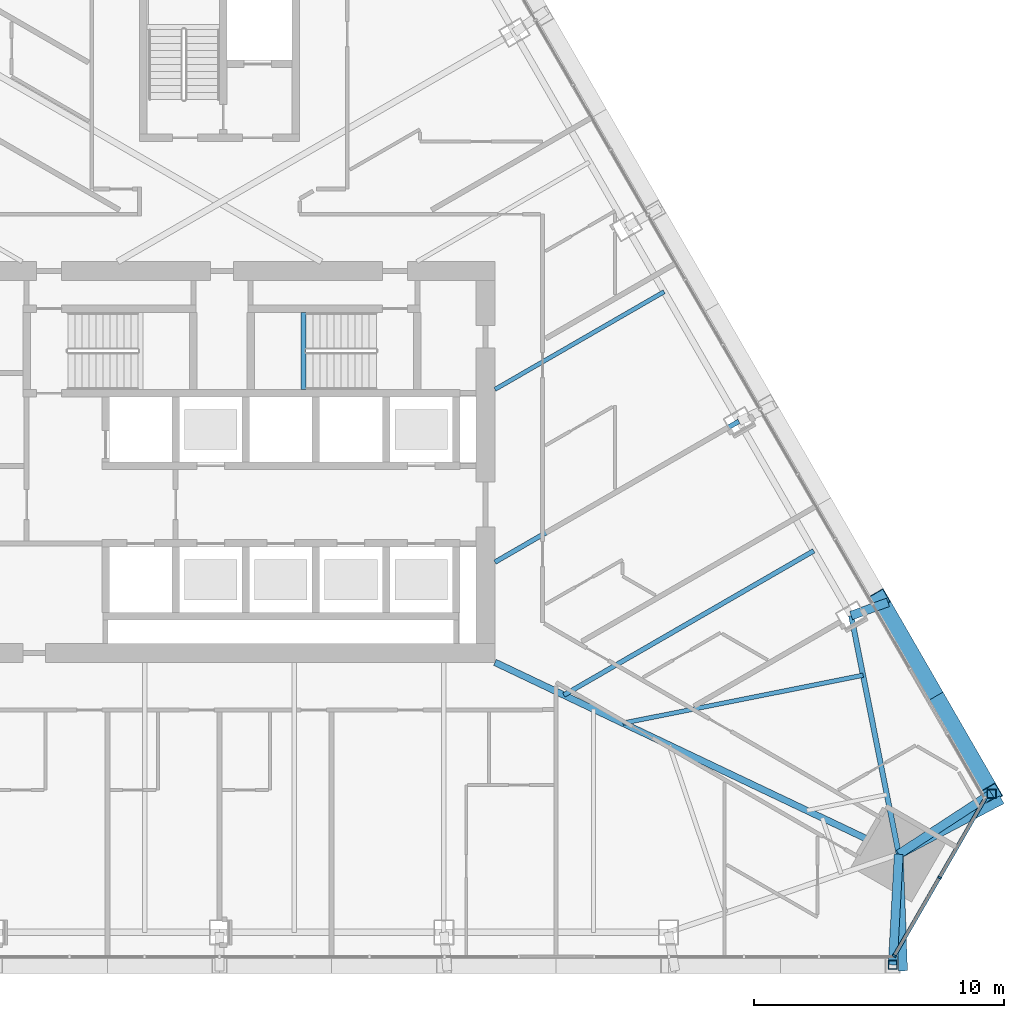
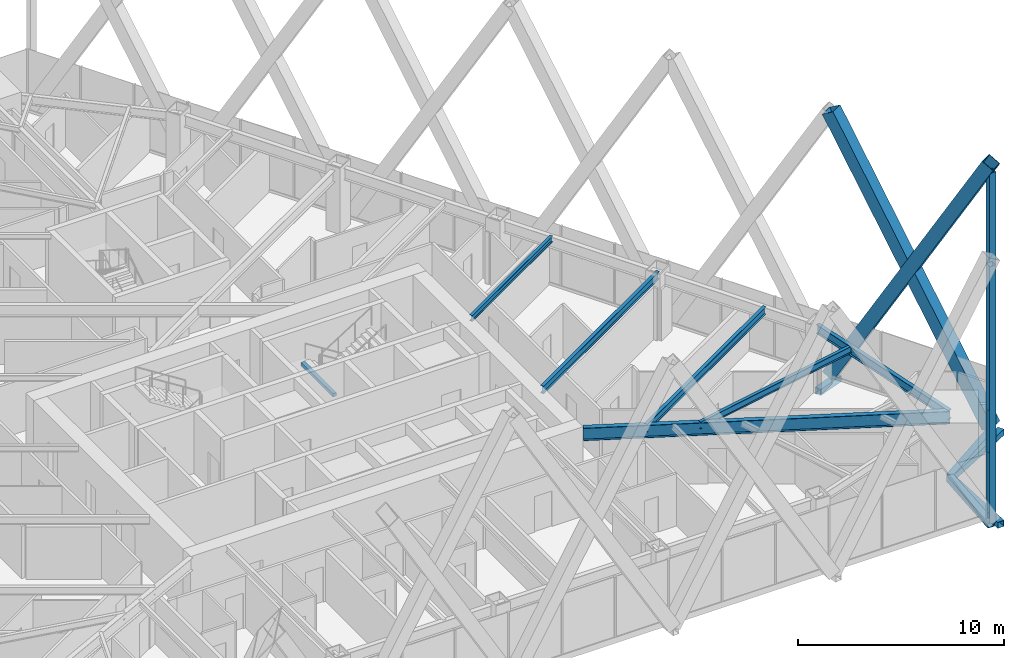
# One storey, part 11 of 24: 12 members, 7 beams, 1 element without a shape of its own.
"""IFC4 building model written with IfcOpenShell, lengths in metres."""

from ifc_helpers import new_model, si_unit, direction, frame, origin, origin_2d, place, context, subcontext, project, spatial, rectangle, hollow_rectangle, i_section, extrude, material, layer, layer_set, material_profile, profile_set, type_object, element, aggregate, save


model = new_model("IFC4")

# Units and contexts
model_context = context("Model", 3, precision=1e-05, world=origin(), true_north=direction((0.0, 1.0)))
body_context = subcontext(model_context, "Body", "Model", "MODEL_VIEW")
ifc_project = project(units=[si_unit("LENGTHUNIT", "METRE"), si_unit("AREAUNIT", "SQUARE_METRE"), si_unit("VOLUMEUNIT", "CUBIC_METRE"), si_unit("PLANEANGLEUNIT", "RADIAN"), si_unit("MASSUNIT", "GRAM", prefix="KILO")], contexts=[model_context])

# Site, building, storey
site_placement = place(None, origin())
site = spatial("IfcSite", under=ifc_project, at=site_placement, CompositionType="ELEMENT")
building_placement = place(site_placement, origin())
building = spatial("IfcBuilding", under=site, at=building_placement, Name="Firuza Gate Tower and Library", CompositionType="ELEMENT")
storey_placement = place(building_placement, frame((0.0, 0.0, 171.39990234375)))
storey = spatial("IfcBuildingStorey", under=building, at=storey_placement, Name="L39", CompositionType="ELEMENT", Elevation=171.39990234375)

# Members
ifc_material_1 = material(Name="Steel S355", Category="steel")
ifc_material_profile_1 = material_profile(ifc_material_1, hollow_rectangle(XDim=0.699951171875, YDim=0.699951171875, WallThickness=0.030029296875, at=origin_2d()))
ifc_profile_set_1 = profile_set([ifc_material_profile_1], Name="Steel S355")
member_type_1 = type_object("IfcMemberType", Name="BU700x700x30 Lattice brace", PredefinedType="BRACE", material=ifc_profile_set_1)
for number, where, z_axis, x_axis, name in (
    (1, (105.832275390625, 61.755859375, 0.0), (-0.249065574789, 0.43139340866, 0.867102108416), (-0.866024991597, -0.500000713928, 0.0), "Lattice brace E 9.1R"),
    (2, (101.351318359375, 69.51708984375, 0.0), (0.249065574789, -0.43139340866, 0.867102108416), (0.866024991597, 0.500000713928, 0.0), "Lattice brace E 9.1L"),
):
    element("IfcMember", number, at=place(storey_placement, frame(where, z_axis=z_axis, x_axis=x_axis)), inside=storey, type_object=member_type_1, Name=name, PredefinedType="BRACE", context=body_context, shape_type="SweptSolid", body=[
        extrude(hollow_rectangle(XDim=0.699951171875, YDim=0.699951171875, WallThickness=0.030029296875, at=origin_2d()), origin(), (0.0, 0.0, 1.0), 17.990966796875),
    ])

# Curtain wall, members
ifc_material_2 = material(Name="Aluminium 6063-T6", Category="aluminium")
ifc_layer = layer(ifc_material_2, 0.14990234375)
ifc_layer_set = layer_set([ifc_layer], Name="Corner curtain wall, chamfers")
curtain_wall_type = type_object("IfcCurtainWallType", Name="Corner curtain wall, chamfers", PredefinedType="NOTDEFINED", material=ifc_layer_set)
curtain_wall_placement = place(storey_placement, origin())
curtain_wall = element("IfcCurtainWall", 3, at=curtain_wall_placement, inside=storey, type_object=curtain_wall_type, Name="CW4 L39 SE corner", PredefinedType="NOTDEFINED")
ifc_material_3 = material(Name="Aluminium 6063-T6", Category="aluminium")
ifc_material_profile_2 = material_profile(ifc_material_3, rectangle(XDim=0.14990234375, YDim=0.080078125, at=origin_2d()))
ifc_profile_set_2 = profile_set([ifc_material_profile_2], Name="Aluminium 6063-T6")
member_type_2 = type_object("IfcMemberType", Name="Curtain wall mullion 80x150", PredefinedType="MULLION", material=ifc_profile_set_2)
member_1_placement = place(storey_placement, frame((101.948974609375, 55.2802734375, 0.150146484375), z_axis=(0.0, 0.0, 1.0), x_axis=(-0.866025403784, 0.5, 0.0)))
member_1 = element("IfcMember", 4, at=member_1_placement, type_object=member_type_2, Name="Mullion", PredefinedType="MULLION", context=body_context, shape_type="SweptSolid", body=[
    extrude(rectangle(XDim=0.14990234375, YDim=0.080078125, at=origin_2d()), origin(), (0.0, 0.0, 1.0), 3.550048828125),
])
member_2_placement = place(storey_placement, frame((103.750732421875, 58.400634765625, 0.150146484375), z_axis=(0.0, 0.0, 1.0), x_axis=(-0.866025403784, 0.5, 0.0)))
member_2 = element("IfcMember", 5, at=member_2_placement, type_object=member_type_2, Name="Mullion", PredefinedType="MULLION", context=body_context, shape_type="SweptSolid", body=[
    extrude(rectangle(XDim=0.14990234375, YDim=0.080078125, at=origin_2d()), origin(), (0.0, 0.0, 1.0), 3.550048828125),
])
ifc_material_4 = material(Name="Aluminium 6063-T6", Category="aluminium")
ifc_material_profile_3 = material_profile(ifc_material_4, rectangle(XDim=0.14990234375, YDim=0.35009765625, at=origin_2d()))
ifc_profile_set_3 = profile_set([ifc_material_profile_3], Name="Aluminium 6063-T6")
member_type_3 = type_object("IfcMemberType", Name="Curtain wall transom 350x150", PredefinedType="USERDEFINED", material=ifc_profile_set_3)
member_3_placement = place(storey_placement, frame((101.92919921875, 55.24560546875, -0.02490234375), z_axis=(0.499980589496, 0.866036610154, 0.0), x_axis=(-0.866036610154, 0.499980589496, 0.0)))
member_3 = element("IfcMember", 6, at=member_3_placement, type_object=member_type_3, Name="Transom", ObjectType="TRANSOM", PredefinedType="USERDEFINED", context=body_context, shape_type="SweptSolid", body=[
    extrude(rectangle(XDim=0.14990234375, YDim=0.35009765625, at=origin_2d()), origin(), (0.0, 0.0, 1.0), 7.286376953125),
])
aggregate(curtain_wall, [member_1, member_2, member_3])

# Members
ifc_material_5 = material(Name="Steel S355", Category="steel")
ifc_material_profile_4 = material_profile(ifc_material_5, hollow_rectangle(XDim=0.355712890625, YDim=0.355712890625, WallThickness=0.014892578125, at=origin_2d()))
ifc_profile_set_4 = profile_set([ifc_material_profile_4], Name="Steel S355")
member_type_4 = type_object("IfcMemberType", Name="HSS356x356x16 Lattice corner stile", PredefinedType="BRACE", material=ifc_profile_set_4)
for number, where, z_axis, x_axis, name in (
    (7, (101.8857421875, 54.920654296875, -0.139892578125), (0.0, 0.0, 1.0), (1.0, 0.0, 0.0), "Lattice corner stile S 9.B"),
    (8, (105.832275390625, 61.755859375, -0.139892578125), (0.0, 0.0, 1.0), (1.0, 0.0, 0.0), "Lattice corner stile E 9.A"),
):
    element("IfcMember", number, at=place(storey_placement, frame(where, z_axis=z_axis, x_axis=x_axis)), inside=storey, type_object=member_type_4, Name=name, PredefinedType="BRACE", context=body_context, shape_type="SweptSolid", body=[
        extrude(hollow_rectangle(XDim=0.355712890625, YDim=0.355712890625, WallThickness=0.014892578125, at=origin_2d()), origin(), (0.0, 0.0, 1.0), 15.239990234375),
    ])
ifc_material_6 = material(Name="Steel S355", Category="steel")
ifc_material_profile_5 = material_profile(ifc_material_6, hollow_rectangle(XDim=0.355712890625, YDim=0.355712890625, WallThickness=0.014892578125, at=origin_2d()))
ifc_profile_set_5 = profile_set([ifc_material_profile_5], Name="Steel S355")
member_type_5 = type_object("IfcMemberType", Name="HSS356x356x16 Lattice node tie", PredefinedType="BRACE", material=ifc_profile_set_5)
member_4_placement = place(storey_placement, frame((100.225341796875, 68.8671875, -0.31982421875), z_axis=(0.940688215805, 0.339272280987, 0.0), x_axis=(-0.339272280987, 0.940688215805, 0.0)))
element("IfcMember", 9, at=member_4_placement, inside=storey, type_object=member_type_5, Name="Lattice node tie E L39 181", PredefinedType="BRACE", context=body_context, shape_type="SweptSolid", body=[
    extrude(hollow_rectangle(XDim=0.355712890625, YDim=0.355712890625, WallThickness=0.014892578125, at=origin_2d()), origin(), (0.0, 0.0, 1.0), 1.563720703125),
])
member_5_placement = place(storey_placement, frame((102.126953125, 59.338134765625, -0.31982421875), z_axis=(0.883977722192, 0.467529022275, 0.0), x_axis=(-0.467529022275, 0.883977722192, 0.0)))
element("IfcMember", 10, at=member_5_placement, inside=storey, type_object=member_type_5, Name="Lattice node tie E L39 182", PredefinedType="BRACE", context=body_context, shape_type="SweptSolid", body=[
    extrude(hollow_rectangle(XDim=0.355712890625, YDim=0.355712890625, WallThickness=0.014892578125, at=origin_2d()), origin(), (0.0, 0.0, 1.0), 4.66015625),
])
member_6_placement = place(storey_placement, frame((102.126953125, 59.338134765625, -0.31982421875), z_axis=(0.837485429113, 0.546459656355, 0.0), x_axis=(-0.546459656355, 0.837485429113, 0.0)))
element("IfcMember", 11, at=member_6_placement, inside=storey, type_object=member_type_5, Name="Lattice node tie E L39 183", PredefinedType="BRACE", context=body_context, shape_type="SweptSolid", body=[
    extrude(hollow_rectangle(XDim=0.355712890625, YDim=0.355712890625, WallThickness=0.014892578125, at=origin_2d()), origin(), (0.0, 0.0, 1.0), 4.42431640625),
])
member_7_placement = place(storey_placement, frame((102.126953125, 59.338134765625, -0.31982421875), z_axis=(0.037145365408, -0.999309872777, 0.0), x_axis=(0.999309872777, 0.037145365408, 0.0)))
element("IfcMember", 12, at=member_7_placement, inside=storey, type_object=member_type_5, Name="Lattice node tie S L39 191", PredefinedType="BRACE", context=body_context, shape_type="SweptSolid", body=[
    extrude(hollow_rectangle(XDim=0.355712890625, YDim=0.355712890625, WallThickness=0.014892578125, at=origin_2d()), origin(), (0.0, 0.0, 1.0), 4.659912109375),
])
member_8_placement = place(storey_placement, frame((102.126953125, 59.338134765625, -0.31982421875), z_axis=(-0.054522515248, -0.998512541399, 0.0), x_axis=(0.998512541399, -0.054522515248, 0.0)))
element("IfcMember", 13, at=member_8_placement, inside=storey, type_object=member_type_5, Name="Lattice node tie S L39 192", PredefinedType="BRACE", context=body_context, shape_type="SweptSolid", body=[
    extrude(hollow_rectangle(XDim=0.355712890625, YDim=0.355712890625, WallThickness=0.014892578125, at=origin_2d()), origin(), (0.0, 0.0, 1.0), 4.424072265625),
])

# Beams
ifc_material_7 = material(Name="Concrete C35/45", Category="concrete")
ifc_material_profile_6 = material_profile(ifc_material_7, rectangle(XDim=0.199951171875, YDim=0.199951171875, at=origin_2d()))
ifc_profile_set_6 = profile_set([ifc_material_profile_6], Name="Concrete C35/45")
beam_type_1 = type_object("IfcBeamType", Name="Stair landing bearer 200x200", PredefinedType="BEAM", material=ifc_profile_set_6)
beam_1_placement = place(storey_placement, frame((78.360107421875, 80.97998046875, 1.650146484375), z_axis=(0.0, -1.0, 0.0), x_axis=(1.0, 0.0, 0.0)))
element("IfcBeam", 14, at=beam_1_placement, inside=storey, type_object=beam_type_1, Name="Landing bearer L39 stair 2", PredefinedType="BEAM", context=body_context, shape_type="SweptSolid", body=[
    extrude(rectangle(XDim=0.199951171875, YDim=0.199951171875, at=origin_2d()), origin(), (0.0, 0.0, 1.0), 3.080078125),
])
ifc_material_8 = material(Name="Steel S355", Category="steel")
ifc_material_profile_7 = material_profile(ifc_material_8, i_section(OverallWidth=0.1708984375, OverallDepth=0.35498046875, WebThickness=0.007080078125, FlangeThickness=0.01171875, at=origin_2d()))
ifc_profile_set_7 = profile_set([ifc_material_profile_7], Name="Steel S355")
beam_type_2 = type_object("IfcBeamType", Name="W360x51 Floor beam", PredefinedType="JOIST", material=ifc_profile_set_7)
beam_2_placement = place(storey_placement, frame((92.757080078125, 81.802734375, 3.522705078125), z_axis=(-0.866016236382, -0.500015878071, 0.0), x_axis=(0.500015878071, -0.866016236382, 0.0)))
element("IfcBeam", 15, at=beam_2_placement, inside=storey, type_object=beam_type_2, Name="Floor beam L39 s52", PredefinedType="JOIST", context=body_context, shape_type="SweptSolid", body=[
    extrude(i_section(OverallWidth=0.1708984375, OverallDepth=0.35498046875, WebThickness=0.007080078125, FlangeThickness=0.01171875, at=origin_2d()), origin(), (0.0, 0.0, 1.0), 7.802490234375),
])
ifc_material_9 = material(Name="Steel S355", Category="steel")
ifc_material_profile_8 = material_profile(ifc_material_9, i_section(OverallWidth=0.177978515625, OverallDepth=0.406982421875, WebThickness=0.0078125, FlangeThickness=0.0126953125, at=origin_2d()))
ifc_profile_set_8 = profile_set([ifc_material_profile_8], Name="Steel S355")
beam_type_3 = type_object("IfcBeamType", Name="W410x60 Floor beam", PredefinedType="JOIST", material=ifc_profile_set_8)
beam_3_placement = place(storey_placement, frame((100.70068359375, 66.48486328125, 3.49658203125), z_axis=(-0.980667968547, -0.195679164617, 0.0), x_axis=(0.195679164617, -0.980667968547, 0.0)))
element("IfcBeam", 16, at=beam_3_placement, inside=storey, type_object=beam_type_3, Name="Floor beam L39 s41", PredefinedType="JOIST", context=body_context, shape_type="SweptSolid", body=[
    extrude(i_section(OverallWidth=0.177978515625, OverallDepth=0.406982421875, WebThickness=0.0078125, FlangeThickness=0.0126953125, at=origin_2d()), origin(), (0.0, 0.0, 1.0), 9.77783203125),
])
ifc_material_10 = material(Name="Steel S355", Category="steel")
ifc_material_profile_9 = material_profile(ifc_material_10, i_section(OverallWidth=0.18994140625, OverallDepth=0.45703125, WebThickness=0.009033203125, FlangeThickness=0.014404296875, at=origin_2d()))
ifc_profile_set_9 = profile_set([ifc_material_profile_9], Name="Steel S355")
beam_type_4 = type_object("IfcBeamType", Name="W460x74 Floor beam", PredefinedType="JOIST", material=ifc_profile_set_9)
beam_4_placement = place(storey_placement, frame((98.731689453125, 71.454345703125, 3.4716796875), z_axis=(-0.866028586684, -0.499994487016, 0.0), x_axis=(0.499994487016, -0.866028586684, 0.0)))
element("IfcBeam", 17, at=beam_4_placement, inside=storey, type_object=beam_type_4, Name="Floor beam L39 s50", PredefinedType="JOIST", context=body_context, shape_type="SweptSolid", body=[
    extrude(i_section(OverallWidth=0.18994140625, OverallDepth=0.45703125, WebThickness=0.009033203125, FlangeThickness=0.014404296875, at=origin_2d()), origin(), (0.0, 0.0, 1.0), 11.523681640625),
])
beam_5_placement = place(storey_placement, frame((95.744384765625, 76.62841796875, 3.4716796875), z_axis=(-0.866023348946, -0.500003559068, 0.0), x_axis=(0.500003559068, -0.866023348946, 0.0)))
element("IfcBeam", 18, at=beam_5_placement, inside=storey, type_object=beam_type_4, Name="Floor beam L39 s51", PredefinedType="JOIST", context=body_context, shape_type="SweptSolid", body=[
    extrude(i_section(OverallWidth=0.18994140625, OverallDepth=0.45703125, WebThickness=0.009033203125, FlangeThickness=0.014404296875, at=origin_2d()), origin(), (0.0, 0.0, 1.0), 11.251953125),
])
ifc_material_11 = material(Name="Steel S355", Category="steel")
ifc_material_profile_10 = material_profile(ifc_material_11, i_section(OverallWidth=0.212890625, OverallDepth=0.5390625, WebThickness=0.01171875, FlangeThickness=0.018798828125, at=origin_2d()))
ifc_profile_set_10 = profile_set([ifc_material_profile_10], Name="Steel S355")
beam_type_5 = type_object("IfcBeamType", Name="W530x109 Edge beam", PredefinedType="SPANDREL", material=ifc_profile_set_10)
beam_6_placement = place(storey_placement, frame((102.126953125, 59.338134765625, 3.4306640625), z_axis=(-0.195700584523, 0.980663694249, 0.0), x_axis=(-0.980663694249, -0.195700584523, 0.0)))
element("IfcBeam", 19, at=beam_6_placement, inside=storey, type_object=beam_type_5, Name="Edge beam L39 e40", PredefinedType="SPANDREL", context=body_context, shape_type="SweptSolid", body=[
    extrude(i_section(OverallWidth=0.212890625, OverallDepth=0.5390625, WebThickness=0.01171875, FlangeThickness=0.018798828125, at=origin_2d()), origin(), (0.0, 0.0, 1.0), 9.717041015625),
])
ifc_material_12 = material(Name="Steel S355", Category="steel")
ifc_material_profile_11 = material_profile(ifc_material_12, i_section(OverallWidth=0.264892578125, OverallDepth=0.7529296875, WebThickness=0.01318359375, FlangeThickness=0.01708984375, at=origin_2d()))
ifc_profile_set_11 = profile_set([ifc_material_profile_11], Name="Steel S355")
beam_type_6 = type_object("IfcBeamType", Name="W760x147 Girder", PredefinedType="BEAM", material=ifc_profile_set_11)
beam_7_placement = place(storey_placement, frame((102.126953125, 59.338134765625, 3.323486328125), z_axis=(-0.903243585223, 0.429128215984, 0.0), x_axis=(-0.429128215984, -0.903243585223, 0.0)))
element("IfcBeam", 20, at=beam_7_placement, inside=storey, type_object=beam_type_6, Name="Girder L39 gSE", PredefinedType="BEAM", context=body_context, shape_type="SweptSolid", body=[
    extrude(i_section(OverallWidth=0.264892578125, OverallDepth=0.7529296875, WebThickness=0.01318359375, FlangeThickness=0.01708984375, at=origin_2d()), origin(), (0.0, 0.0, 1.0), 17.8544921875),
])

save(model, "model.ifc")
